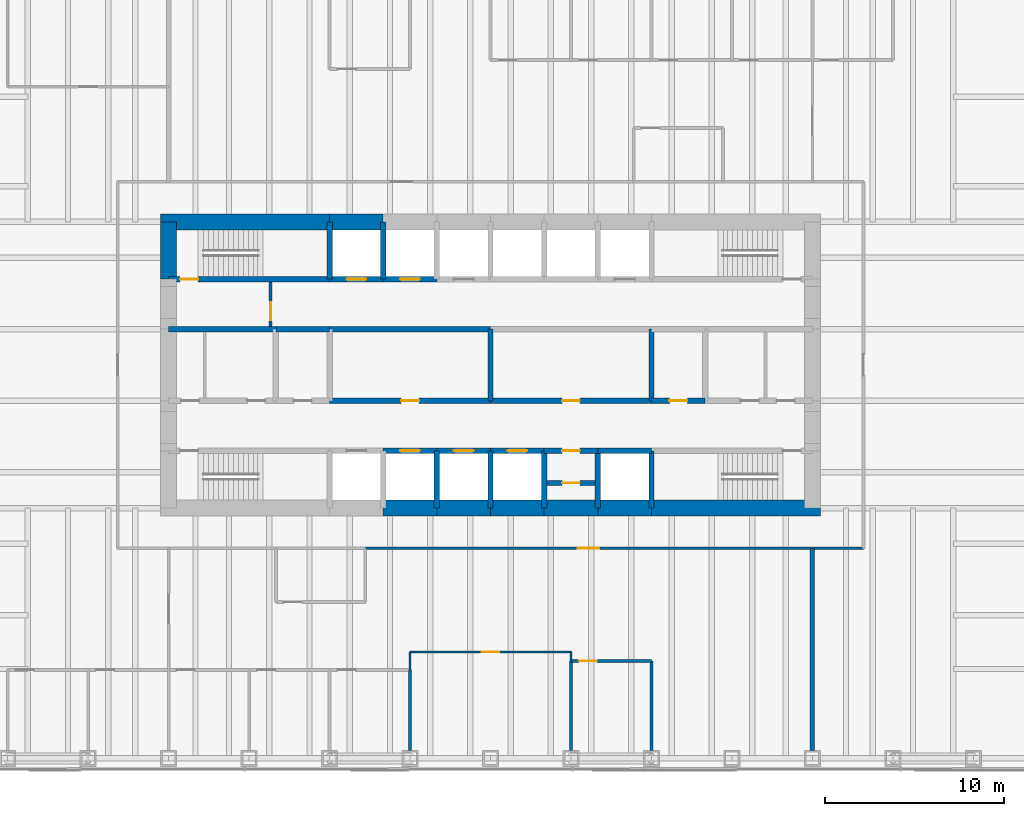
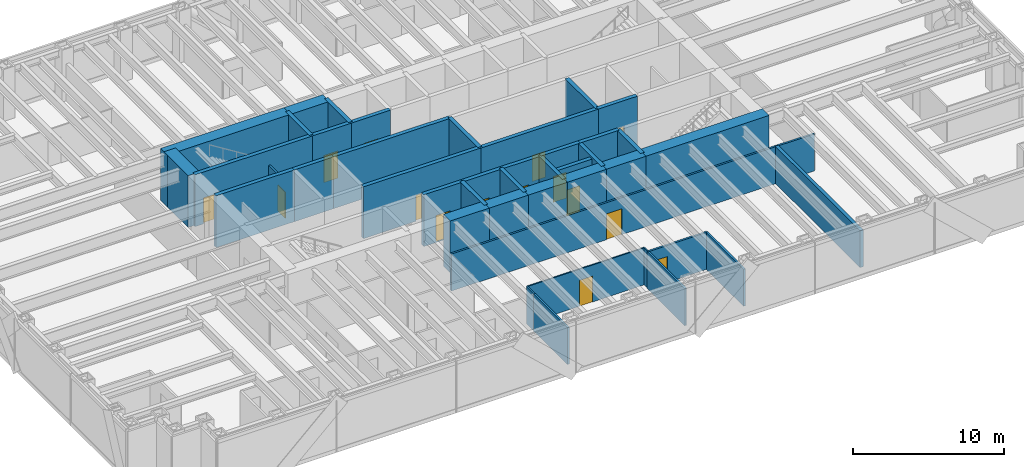
# One storey, part 14 of 17: 43 walls, 15 doors, 15 openings.
"""IFC4 building model written with IfcOpenShell, lengths in metres."""

from ifc_helpers import new_model, si_unit, direction, frame, frame_2d, origin, place, context, subcontext, project, spatial, rectangle, extrude, material, layer, layer_set, type_object, element, fill, save


model = new_model("IFC4")

# Units and contexts
model_context = context("Model", 3, precision=1e-05, world=origin(), true_north=direction((0.0, 1.0)))
body_context = subcontext(model_context, "Body", "Model", "MODEL_VIEW")
ifc_project = project(units=[si_unit("LENGTHUNIT", "METRE"), si_unit("AREAUNIT", "SQUARE_METRE"), si_unit("VOLUMEUNIT", "CUBIC_METRE"), si_unit("PLANEANGLEUNIT", "RADIAN"), si_unit("MASSUNIT", "GRAM", prefix="KILO")], contexts=[model_context])

# Site, building, storey
site_placement = place(None, origin())
site = spatial("IfcSite", under=ifc_project, at=site_placement, CompositionType="ELEMENT")
building_placement = place(site_placement, origin())
building = spatial("IfcBuilding", under=site, at=building_placement, Name="Rheinbord Bourse Tower", CompositionType="ELEMENT")
storey_placement = place(building_placement, frame((0.0, 0.0, 159.300048828125)))
storey = spatial("IfcBuildingStorey", under=building, at=storey_placement, Name="L35", CompositionType="ELEMENT", Elevation=159.300048828125)

# Wall, opening, door
ifc_material_1 = material(Name="Concrete C50/60", Category="concrete")
ifc_layer_1 = layer(ifc_material_1, 0.300048828125)
ifc_layer_set_1 = layer_set([ifc_layer_1], Name="CORE INNER WALL 300")
wall_type_1 = type_object("IfcWallType", Name="CORE INNER WALL 300", PredefinedType="SOLIDWALL", material=ifc_layer_set_1)
wall_1_placement = place(storey_placement, frame((30.0, 19.199951171875, 0.0), z_axis=(0.0, 0.0, 1.0), x_axis=(1.0, 0.0, 0.0)))
wall_1 = element("IfcWall", 1, at=wall_1_placement, inside=storey, type_object=wall_type_1, Name="Core wall A3 L35", PredefinedType="SOLIDWALL", context=body_context, shape_type="SweptSolid", body=[
    extrude(rectangle(XDim=3.0, YDim=0.300048828125, at=frame_2d((1.5, 0.0))), origin(), (0.0, 0.0, 1.0), 4.199951171875),
])
opening_1_placement = place(wall_1_placement, frame((0.949951171875, 0.0, 0.0)))
opening_1 = element("IfcOpeningElement", 2, at=opening_1_placement, cuts=wall_1, Name="Opening PB1", PredefinedType="OPENING", context=body_context, shape_type="SweptSolid", body=[
    extrude(rectangle(XDim=1.10009765625, YDim=2.199951171875, at=frame_2d((0.550048828125, 1.10009765625))), frame((0.0, 0.159912109375, 0.0), z_axis=(0.0, -1.0, 0.0), x_axis=(1.0, 0.0, 0.0)), (0.0, 0.0, 1.0), 0.320068359375),
])
ifc_material_2 = material(Name="Steel landing door", Category="steel")
door_type_1 = type_object("IfcDoorType", Name="LIFT LANDING DOOR 1100", OperationType="DOUBLE_DOOR_SLIDING", PredefinedType="USERDEFINED", material=ifc_material_2)
door_1_placement = place(opening_1_placement, origin())
door_1 = element("IfcDoor", 3, at=door_1_placement, inside=storey, type_object=door_type_1, Name="Lift landing door PB1 L35", ObjectType="LIFT LANDING DOOR", OperationType="DOUBLE_DOOR_SLIDING", OverallHeight=2.199951171875, OverallWidth=1.10009765625, PredefinedType="USERDEFINED", context=body_context, shape_type="SweptSolid", body=[
    extrude(rectangle(XDim=1.10009765625, YDim=2.199951171875, at=frame_2d((0.550048828125, 1.10009765625))), frame((0.0, 0.02490234375, 0.0), z_axis=(0.0, -1.0, 0.0), x_axis=(1.0, 0.0, 0.0)), (0.0, 0.0, 1.0), 0.050048828125),
])
fill(opening_1, door_1)

wall_2_placement = place(storey_placement, frame((33.0, 19.199951171875, 0.0), z_axis=(0.0, 0.0, 1.0), x_axis=(1.0, 0.0, 0.0)))
wall_2 = element("IfcWall", 4, at=wall_2_placement, inside=storey, type_object=wall_type_1, Name="Core wall A4 L35", PredefinedType="SOLIDWALL", context=body_context, shape_type="SweptSolid", body=[
    extrude(rectangle(XDim=3.0, YDim=0.300048828125, at=frame_2d((1.5, 0.0))), origin(), (0.0, 0.0, 1.0), 4.199951171875),
])
opening_2_placement = place(wall_2_placement, frame((0.949951171875, 0.0, 0.0)))
opening_2 = element("IfcOpeningElement", 5, at=opening_2_placement, cuts=wall_2, Name="Opening PB2", PredefinedType="OPENING", context=body_context, shape_type="SweptSolid", body=[
    extrude(rectangle(XDim=1.10009765625, YDim=2.199951171875, at=frame_2d((0.550048828125, 1.10009765625))), frame((0.0, 0.159912109375, 0.0), z_axis=(0.0, -1.0, 0.0), x_axis=(1.0, 0.0, 0.0)), (0.0, 0.0, 1.0), 0.320068359375),
])
door_2_placement = place(opening_2_placement, origin())
door_2 = element("IfcDoor", 6, at=door_2_placement, inside=storey, type_object=door_type_1, Name="Lift landing door PB2 L35", ObjectType="LIFT LANDING DOOR", OperationType="DOUBLE_DOOR_SLIDING", OverallHeight=2.199951171875, OverallWidth=1.10009765625, PredefinedType="USERDEFINED", context=body_context, shape_type="SweptSolid", body=[
    extrude(rectangle(XDim=1.10009765625, YDim=2.199951171875, at=frame_2d((0.550048828125, 1.10009765625))), frame((0.0, 0.02490234375, 0.0), z_axis=(0.0, -1.0, 0.0), x_axis=(1.0, 0.0, 0.0)), (0.0, 0.0, 1.0), 0.050048828125),
])
fill(opening_2, door_2)

wall_3_placement = place(storey_placement, frame((36.0, 19.199951171875, 0.0), z_axis=(0.0, 0.0, 1.0), x_axis=(1.0, 0.0, 0.0)))
wall_3 = element("IfcWall", 7, at=wall_3_placement, inside=storey, type_object=wall_type_1, Name="Core wall A5 L35", PredefinedType="SOLIDWALL", context=body_context, shape_type="SweptSolid", body=[
    extrude(rectangle(XDim=3.0, YDim=0.300048828125, at=frame_2d((1.5, 0.0))), origin(), (0.0, 0.0, 1.0), 4.199951171875),
])
opening_3_placement = place(wall_3_placement, frame((0.949951171875, 0.0, 0.0)))
opening_3 = element("IfcOpeningElement", 8, at=opening_3_placement, cuts=wall_3, Name="Opening PB3", PredefinedType="OPENING", context=body_context, shape_type="SweptSolid", body=[
    extrude(rectangle(XDim=1.10009765625, YDim=2.199951171875, at=frame_2d((0.550048828125, 1.10009765625))), frame((0.0, 0.159912109375, 0.0), z_axis=(0.0, -1.0, 0.0), x_axis=(1.0, 0.0, 0.0)), (0.0, 0.0, 1.0), 0.320068359375),
])
door_3_placement = place(opening_3_placement, origin())
door_3 = element("IfcDoor", 9, at=door_3_placement, inside=storey, type_object=door_type_1, Name="Lift landing door PB3 L35", ObjectType="LIFT LANDING DOOR", OperationType="DOUBLE_DOOR_SLIDING", OverallHeight=2.199951171875, OverallWidth=1.10009765625, PredefinedType="USERDEFINED", context=body_context, shape_type="SweptSolid", body=[
    extrude(rectangle(XDim=1.10009765625, YDim=2.199951171875, at=frame_2d((0.550048828125, 1.10009765625))), frame((0.0, 0.02490234375, 0.0), z_axis=(0.0, -1.0, 0.0), x_axis=(1.0, 0.0, 0.0)), (0.0, 0.0, 1.0), 0.050048828125),
])
fill(opening_3, door_3)

wall_4_placement = place(storey_placement, frame((39.0, 19.199951171875, 0.0), z_axis=(0.0, 0.0, 1.0), x_axis=(1.0, 0.0, 0.0)))
wall_4 = element("IfcWall", 10, at=wall_4_placement, inside=storey, type_object=wall_type_1, Name="Core wall A6 L35", PredefinedType="SOLIDWALL", context=body_context, shape_type="SweptSolid", body=[
    extrude(rectangle(XDim=3.0, YDim=0.300048828125, at=frame_2d((1.5, 0.0))), origin(), (0.0, 0.0, 1.0), 4.199951171875),
])
opening_4_placement = place(wall_4_placement, frame((1.0, 0.0, 0.0)))
opening_4 = element("IfcOpeningElement", 11, at=opening_4_placement, cuts=wall_4, Name="Opening 35R8", PredefinedType="OPENING", context=body_context, shape_type="SweptSolid", body=[
    extrude(rectangle(XDim=1.0, YDim=2.10009765625, at=frame_2d((0.5, 1.050048828125))), frame((0.0, 0.159912109375, 0.0), z_axis=(0.0, -1.0, 0.0), x_axis=(1.0, 0.0, 0.0)), (0.0, 0.0, 1.0), 0.320068359375),
])
ifc_material_3 = material(Name="Steel door", Category="steel")
door_type_2 = type_object("IfcDoorType", Name="DOOR 1000 EI30", OperationType="SINGLE_SWING_LEFT", PredefinedType="DOOR", material=ifc_material_3)
door_4_placement = place(opening_4_placement, origin())
door_4 = element("IfcDoor", 12, at=door_4_placement, inside=storey, type_object=door_type_2, Name="Archive store door L35", OperationType="SINGLE_SWING_LEFT", OverallHeight=2.10009765625, OverallWidth=1.0, PredefinedType="DOOR", context=body_context, shape_type="SweptSolid", body=[
    extrude(rectangle(XDim=1.0, YDim=2.10009765625, at=frame_2d((0.5, 1.050048828125))), frame((0.0, 0.02490234375, 0.0), z_axis=(0.0, -1.0, 0.0), x_axis=(1.0, 0.0, 0.0)), (0.0, 0.0, 1.0), 0.050048828125),
])
fill(opening_4, door_4)

# Wall
wall_5_placement = place(storey_placement, frame((42.0, 19.199951171875, 0.0), z_axis=(0.0, 0.0, 1.0), x_axis=(1.0, 0.0, 0.0)))
element("IfcWall", 13, at=wall_5_placement, inside=storey, type_object=wall_type_1, Name="Core wall A7 L35", PredefinedType="SOLIDWALL", context=body_context, shape_type="SweptSolid", body=[
    extrude(rectangle(XDim=3.0, YDim=0.300048828125, at=frame_2d((1.5, 0.0))), origin(), (0.0, 0.0, 1.0), 4.199951171875),
])

# Wall, opening, door
wall_6_placement = place(storey_placement, frame((18.0, 28.800048828125, 0.0), z_axis=(0.0, 0.0, 1.0), x_axis=(1.0, 0.0, 0.0)))
wall_6 = element("IfcWall", 14, at=wall_6_placement, inside=storey, type_object=wall_type_1, Name="Core wall B1 L35", PredefinedType="SOLIDWALL", context=body_context, shape_type="SweptSolid", body=[
    extrude(rectangle(XDim=9.0, YDim=0.300048828125, at=frame_2d((4.5, 0.0))), origin(), (0.0, 0.0, 1.0), 4.199951171875),
])
opening_5_placement = place(wall_6_placement, frame((0.64990234375, 0.0, 0.0)))
opening_5 = element("IfcOpeningElement", 15, at=opening_5_placement, cuts=wall_6, Name="Opening 3520", PredefinedType="OPENING", context=body_context, shape_type="SweptSolid", body=[
    extrude(rectangle(XDim=1.0, YDim=2.10009765625, at=frame_2d((0.5, 1.050048828125))), frame((0.0, 0.159912109375, 0.0), z_axis=(0.0, -1.0, 0.0), x_axis=(1.0, 0.0, 0.0)), (0.0, 0.0, 1.0), 0.320068359375),
])
door_5_placement = place(opening_5_placement, origin())
door_5 = element("IfcDoor", 16, at=door_5_placement, inside=storey, type_object=door_type_2, Name="Stair door ST2 L35", OperationType="SINGLE_SWING_LEFT", OverallHeight=2.10009765625, OverallWidth=1.0, PredefinedType="DOOR", context=body_context, shape_type="SweptSolid", body=[
    extrude(rectangle(XDim=1.0, YDim=2.10009765625, at=frame_2d((0.5, 1.050048828125))), frame((0.0, 0.02490234375, 0.0), z_axis=(0.0, -1.0, 0.0), x_axis=(1.0, 0.0, 0.0)), (0.0, 0.0, 1.0), 0.050048828125),
])
fill(opening_5, door_5)

wall_7_placement = place(storey_placement, frame((27.0, 28.800048828125, 0.0), z_axis=(0.0, 0.0, 1.0), x_axis=(1.0, 0.0, 0.0)))
wall_7 = element("IfcWall", 17, at=wall_7_placement, inside=storey, type_object=wall_type_1, Name="Core wall B2 L35", PredefinedType="SOLIDWALL", context=body_context, shape_type="SweptSolid", body=[
    extrude(rectangle(XDim=3.0, YDim=0.300048828125, at=frame_2d((1.5, 0.0))), origin(), (0.0, 0.0, 1.0), 4.199951171875),
])
opening_6_placement = place(wall_7_placement, frame((0.949951171875, 0.0, 0.0)))
opening_6 = element("IfcOpeningElement", 18, at=opening_6_placement, cuts=wall_7, Name="Opening GL1", PredefinedType="OPENING", context=body_context, shape_type="SweptSolid", body=[
    extrude(rectangle(XDim=1.10009765625, YDim=2.199951171875, at=frame_2d((0.550048828125, 1.10009765625))), frame((0.0, 0.159912109375, 0.0), z_axis=(0.0, -1.0, 0.0), x_axis=(1.0, 0.0, 0.0)), (0.0, 0.0, 1.0), 0.320068359375),
])
door_6_placement = place(opening_6_placement, origin())
door_6 = element("IfcDoor", 19, at=door_6_placement, inside=storey, type_object=door_type_1, Name="Lift landing door GL1 L35", ObjectType="LIFT LANDING DOOR", OperationType="DOUBLE_DOOR_SLIDING", OverallHeight=2.199951171875, OverallWidth=1.10009765625, PredefinedType="USERDEFINED", context=body_context, shape_type="SweptSolid", body=[
    extrude(rectangle(XDim=1.10009765625, YDim=2.199951171875, at=frame_2d((0.550048828125, 1.10009765625))), frame((0.0, 0.02490234375, 0.0), z_axis=(0.0, -1.0, 0.0), x_axis=(1.0, 0.0, 0.0)), (0.0, 0.0, 1.0), 0.050048828125),
])
fill(opening_6, door_6)

wall_8_placement = place(storey_placement, frame((30.0, 28.800048828125, 0.0), z_axis=(0.0, 0.0, 1.0), x_axis=(1.0, 0.0, 0.0)))
wall_8 = element("IfcWall", 20, at=wall_8_placement, inside=storey, type_object=wall_type_1, Name="Core wall B3 L35", PredefinedType="SOLIDWALL", context=body_context, shape_type="SweptSolid", body=[
    extrude(rectangle(XDim=3.0, YDim=0.300048828125, at=frame_2d((1.5, 0.0))), origin(), (0.0, 0.0, 1.0), 4.199951171875),
])
opening_7_placement = place(wall_8_placement, frame((0.949951171875, 0.0, 0.0)))
opening_7 = element("IfcOpeningElement", 21, at=opening_7_placement, cuts=wall_8, Name="Opening PB4", PredefinedType="OPENING", context=body_context, shape_type="SweptSolid", body=[
    extrude(rectangle(XDim=1.10009765625, YDim=2.199951171875, at=frame_2d((0.550048828125, 1.10009765625))), frame((0.0, 0.159912109375, 0.0), z_axis=(0.0, -1.0, 0.0), x_axis=(1.0, 0.0, 0.0)), (0.0, 0.0, 1.0), 0.320068359375),
])
door_7_placement = place(opening_7_placement, origin())
door_7 = element("IfcDoor", 22, at=door_7_placement, inside=storey, type_object=door_type_1, Name="Lift landing door PB4 L35", ObjectType="LIFT LANDING DOOR", OperationType="DOUBLE_DOOR_SLIDING", OverallHeight=2.199951171875, OverallWidth=1.10009765625, PredefinedType="USERDEFINED", context=body_context, shape_type="SweptSolid", body=[
    extrude(rectangle(XDim=1.10009765625, YDim=2.199951171875, at=frame_2d((0.550048828125, 1.10009765625))), frame((0.0, 0.02490234375, 0.0), z_axis=(0.0, -1.0, 0.0), x_axis=(1.0, 0.0, 0.0)), (0.0, 0.0, 1.0), 0.050048828125),
])
fill(opening_7, door_7)

wall_9_placement = place(storey_placement, frame((27.0, 22.0, 0.0), z_axis=(0.0, 0.0, 1.0), x_axis=(1.0, 0.0, 0.0)))
wall_9 = element("IfcWall", 23, at=wall_9_placement, inside=storey, type_object=wall_type_1, Name="Core wall C3 L35", PredefinedType="SOLIDWALL", context=body_context, shape_type="SweptSolid", body=[
    extrude(rectangle(XDim=9.0, YDim=0.300048828125, at=frame_2d((4.5, 0.0))), origin(), (0.0, 0.0, 1.0), 4.199951171875),
])
opening_8_placement = place(wall_9_placement, frame((4.0, 0.0, 0.0)))
opening_8 = element("IfcOpeningElement", 24, at=opening_8_placement, cuts=wall_9, Name="Opening 35R3", PredefinedType="OPENING", context=body_context, shape_type="SweptSolid", body=[
    extrude(rectangle(XDim=1.0, YDim=2.10009765625, at=frame_2d((0.5, 1.050048828125))), frame((0.0, 0.159912109375, 0.0), z_axis=(0.0, -1.0, 0.0), x_axis=(1.0, 0.0, 0.0)), (0.0, 0.0, 1.0), 0.320068359375),
])
door_8_placement = place(opening_8_placement, origin())
door_8 = element("IfcDoor", 25, at=door_8_placement, inside=storey, type_object=door_type_2, Name="Riser door L35", OperationType="SINGLE_SWING_LEFT", OverallHeight=2.10009765625, OverallWidth=1.0, PredefinedType="DOOR", context=body_context, shape_type="SweptSolid", body=[
    extrude(rectangle(XDim=1.0, YDim=2.10009765625, at=frame_2d((0.5, 1.050048828125))), frame((0.0, 0.02490234375, 0.0), z_axis=(0.0, -1.0, 0.0), x_axis=(1.0, 0.0, 0.0)), (0.0, 0.0, 1.0), 0.050048828125),
])
fill(opening_8, door_8)

wall_10_placement = place(storey_placement, frame((36.0, 22.0, 0.0), z_axis=(0.0, 0.0, 1.0), x_axis=(1.0, 0.0, 0.0)))
wall_10 = element("IfcWall", 26, at=wall_10_placement, inside=storey, type_object=wall_type_1, Name="Core wall C4 L35", PredefinedType="SOLIDWALL", context=body_context, shape_type="SweptSolid", body=[
    extrude(rectangle(XDim=9.0, YDim=0.300048828125, at=frame_2d((4.5, 0.0))), origin(), (0.0, 0.0, 1.0), 4.199951171875),
])
opening_9_placement = place(wall_10_placement, frame((4.0, 0.0, 0.0)))
opening_9 = element("IfcOpeningElement", 27, at=opening_9_placement, cuts=wall_10, Name="Opening 35R4", PredefinedType="OPENING", context=body_context, shape_type="SweptSolid", body=[
    extrude(rectangle(XDim=1.0, YDim=2.10009765625, at=frame_2d((0.5, 1.050048828125))), frame((0.0, 0.159912109375, 0.0), z_axis=(0.0, -1.0, 0.0), x_axis=(1.0, 0.0, 0.0)), (0.0, 0.0, 1.0), 0.320068359375),
])
door_9_placement = place(opening_9_placement, origin())
door_9 = element("IfcDoor", 28, at=door_9_placement, inside=storey, type_object=door_type_2, Name="Store door L35", OperationType="SINGLE_SWING_LEFT", OverallHeight=2.10009765625, OverallWidth=1.0, PredefinedType="DOOR", context=body_context, shape_type="SweptSolid", body=[
    extrude(rectangle(XDim=1.0, YDim=2.10009765625, at=frame_2d((0.5, 1.050048828125))), frame((0.0, 0.02490234375, 0.0), z_axis=(0.0, -1.0, 0.0), x_axis=(1.0, 0.0, 0.0)), (0.0, 0.0, 1.0), 0.050048828125),
])
fill(opening_9, door_9)

wall_11_placement = place(storey_placement, frame((45.0, 22.0, 0.0), z_axis=(0.0, 0.0, 1.0), x_axis=(1.0, 0.0, 0.0)))
wall_11 = element("IfcWall", 29, at=wall_11_placement, inside=storey, type_object=wall_type_1, Name="Core wall C5 L35", PredefinedType="SOLIDWALL", context=body_context, shape_type="SweptSolid", body=[
    extrude(rectangle(XDim=3.0, YDim=0.300048828125, at=frame_2d((1.5, 0.0))), origin(), (0.0, 0.0, 1.0), 4.199951171875),
])
opening_10_placement = place(wall_11_placement, frame((1.0, 0.0, 0.0)))
opening_10 = element("IfcOpeningElement", 30, at=opening_10_placement, cuts=wall_11, Name="Opening 35R5", PredefinedType="OPENING", context=body_context, shape_type="SweptSolid", body=[
    extrude(rectangle(XDim=1.0, YDim=2.10009765625, at=frame_2d((0.5, 1.050048828125))), frame((0.0, 0.159912109375, 0.0), z_axis=(0.0, -1.0, 0.0), x_axis=(1.0, 0.0, 0.0)), (0.0, 0.0, 1.0), 0.320068359375),
])
ifc_material_4 = material(Name="Timber door", Category="wood")
door_type_3 = type_object("IfcDoorType", Name="DOOR 1000 WC", OperationType="SINGLE_SWING_LEFT", PredefinedType="DOOR", material=ifc_material_4)
door_10_placement = place(opening_10_placement, origin())
door_10 = element("IfcDoor", 31, at=door_10_placement, inside=storey, type_object=door_type_3, Name="Accessible WC door L35", OperationType="SINGLE_SWING_LEFT", OverallHeight=2.10009765625, OverallWidth=1.0, PredefinedType="DOOR", context=body_context, shape_type="SweptSolid", body=[
    extrude(rectangle(XDim=1.0, YDim=2.10009765625, at=frame_2d((0.5, 1.050048828125))), frame((0.0, 0.02490234375, 0.0), z_axis=(0.0, -1.0, 0.0), x_axis=(1.0, 0.0, 0.0)), (0.0, 0.0, 1.0), 0.050048828125),
])
fill(opening_10, door_10)

# Walls
wall_12_placement = place(storey_placement, frame((18.0, 26.0, 0.0), z_axis=(0.0, 0.0, 1.0), x_axis=(1.0, 0.0, 0.0)))
element("IfcWall", 32, at=wall_12_placement, inside=storey, type_object=wall_type_1, Name="Core wall D1 L35", PredefinedType="SOLIDWALL", context=body_context, shape_type="SweptSolid", body=[
    extrude(rectangle(XDim=6.0, YDim=0.300048828125, at=frame_2d((3.0, 0.0))), origin(), (0.0, 0.0, 1.0), 4.199951171875),
])
wall_13_placement = place(storey_placement, frame((24.0, 26.0, 0.0), z_axis=(0.0, 0.0, 1.0), x_axis=(1.0, 0.0, 0.0)))
element("IfcWall", 33, at=wall_13_placement, inside=storey, type_object=wall_type_1, Name="Core wall D2 L35", PredefinedType="SOLIDWALL", context=body_context, shape_type="SweptSolid", body=[
    extrude(rectangle(XDim=3.0, YDim=0.300048828125, at=frame_2d((1.5, 0.0))), origin(), (0.0, 0.0, 1.0), 4.199951171875),
])
wall_14_placement = place(storey_placement, frame((27.0, 26.0, 0.0), z_axis=(0.0, 0.0, 1.0), x_axis=(1.0, 0.0, 0.0)))
element("IfcWall", 34, at=wall_14_placement, inside=storey, type_object=wall_type_1, Name="Core wall D3 L35", PredefinedType="SOLIDWALL", context=body_context, shape_type="SweptSolid", body=[
    extrude(rectangle(XDim=9.0, YDim=0.300048828125, at=frame_2d((4.5, 0.0))), origin(), (0.0, 0.0, 1.0), 4.199951171875),
])
for number, where, z_axis, x_axis, name in (
    (35, (27.0, 28.800048828125, 0.0), (0.0, 0.0, 1.0), (0.0, 1.0, 0.0), "Core wall NX27 L35"),
    (36, (30.0, 28.800048828125, 0.0), (0.0, 0.0, 1.0), (0.0, 1.0, 0.0), "Core wall NX30 L35"),
    (37, (33.0, 16.0, 0.0), (0.0, 0.0, 1.0), (0.0, 1.0, 0.0), "Core wall SX33 L35"),
    (38, (36.0, 16.0, 0.0), (0.0, 0.0, 1.0), (0.0, 1.0, 0.0), "Core wall SX36 L35"),
    (39, (39.0, 16.0, 0.0), (0.0, 0.0, 1.0), (0.0, 1.0, 0.0), "Core wall SX39 L35"),
    (40, (42.0, 16.0, 0.0), (0.0, 0.0, 1.0), (0.0, 1.0, 0.0), "Core wall SX42 L35"),
    (41, (45.0, 16.0, 0.0), (0.0, 0.0, 1.0), (0.0, 1.0, 0.0), "Core wall SX45 L35"),
):
    element("IfcWall", number, at=place(storey_placement, frame(where, z_axis=z_axis, x_axis=x_axis)), inside=storey, type_object=wall_type_1, Name=name, PredefinedType="SOLIDWALL", context=body_context, shape_type="SweptSolid", body=[
        extrude(rectangle(XDim=3.199951171875, YDim=0.300048828125, at=frame_2d((1.60009765625, 0.0))), origin(), (0.0, 0.0, 1.0), 4.199951171875),
    ])
for number, where, z_axis, x_axis, name in (
    (42, (36.0, 22.0, 0.0), (0.0, 0.0, 1.0), (0.0, 1.0, 0.0), "Core wall MX36 L35"),
    (43, (45.0, 22.0, 0.0), (0.0, 0.0, 1.0), (0.0, 1.0, 0.0), "Core wall MX45 L35"),
):
    element("IfcWall", number, at=place(storey_placement, frame(where, z_axis=z_axis, x_axis=x_axis)), inside=storey, type_object=wall_type_1, Name=name, PredefinedType="SOLIDWALL", context=body_context, shape_type="SweptSolid", body=[
        extrude(rectangle(XDim=4.0, YDim=0.300048828125, at=frame_2d((2.0, 0.0))), origin(), (0.0, 0.0, 1.0), 4.199951171875),
    ])

# Wall, opening, door
wall_15_placement = place(storey_placement, frame((39.14990234375, 17.39990234375, 0.0), z_axis=(0.0, 0.0, 1.0), x_axis=(1.0, 0.0, 0.0)))
wall_15 = element("IfcWall", 44, at=wall_15_placement, inside=storey, type_object=wall_type_1, Name="Core riser wall L35-6", PredefinedType="SOLIDWALL", context=body_context, shape_type="SweptSolid", body=[
    extrude(rectangle(XDim=2.7001953125, YDim=0.300048828125, at=frame_2d((1.35009765625, 0.0))), origin(), (0.0, 0.0, 1.0), 4.0400390625),
])
opening_11_placement = place(wall_15_placement, frame((0.85009765625, 0.0, 0.0)))
opening_11 = element("IfcOpeningElement", 45, at=opening_11_placement, cuts=wall_15, Name="Opening 35R12", PredefinedType="OPENING", context=body_context, shape_type="SweptSolid", body=[
    extrude(rectangle(XDim=1.0, YDim=2.10009765625, at=frame_2d((0.5, 1.050048828125))), frame((0.0, 0.159912109375, 0.0), z_axis=(0.0, -1.0, 0.0), x_axis=(1.0, 0.0, 0.0)), (0.0, 0.0, 1.0), 0.320068359375),
])
door_11_placement = place(opening_11_placement, origin())
door_11 = element("IfcDoor", 46, at=door_11_placement, inside=storey, type_object=door_type_2, Name="Comms riser door L35", OperationType="SINGLE_SWING_LEFT", OverallHeight=2.10009765625, OverallWidth=1.0, PredefinedType="DOOR", context=body_context, shape_type="SweptSolid", body=[
    extrude(rectangle(XDim=1.0, YDim=2.10009765625, at=frame_2d((0.5, 1.050048828125))), frame((0.0, 0.02490234375, 0.0), z_axis=(0.0, -1.0, 0.0), x_axis=(1.0, 0.0, 0.0)), (0.0, 0.0, 1.0), 0.050048828125),
])
fill(opening_11, door_11)

ifc_material_5 = material(Name="Gypsum board fire partition", Category="gypsum board")
ifc_layer_2 = layer(ifc_material_5, 0.14990234375)
ifc_layer_set_2 = layer_set([ifc_layer_2], Name="CORE PARTITION 150 EI30")
wall_type_2 = type_object("IfcWallType", Name="CORE PARTITION 150 EI30", PredefinedType="PARTITIONING", material=ifc_layer_set_2)
wall_16_placement = place(storey_placement, frame((23.699951171875, 26.14990234375, 0.0), z_axis=(0.0, 0.0, 1.0), x_axis=(0.0, 1.0, 0.0)))
wall_16 = element("IfcWall", 47, at=wall_16_placement, inside=storey, type_object=wall_type_2, Name="Core partition L35-5", PredefinedType="PARTITIONING", context=body_context, shape_type="SweptSolid", body=[
    extrude(rectangle(XDim=2.5, YDim=0.14990234375, at=frame_2d((1.25, 0.0))), origin(), (0.0, 0.0, 1.0), 3.0),
])
opening_12_placement = place(wall_16_placement, frame((0.35009765625, 0.0, 0.0)))
opening_12 = element("IfcOpeningElement", 48, at=opening_12_placement, cuts=wall_16, Name="Opening 35L6", PredefinedType="OPENING", context=body_context, shape_type="SweptSolid", body=[
    extrude(rectangle(XDim=1.0, YDim=2.10009765625, at=frame_2d((0.5, 1.050048828125))), frame((0.0, 0.0849609375, 0.0), z_axis=(0.0, -1.0, 0.0), x_axis=(1.0, 0.0, 0.0)), (0.0, 0.0, 1.0), 0.169921875),
])
door_12_placement = place(opening_12_placement, origin())
door_12 = element("IfcDoor", 49, at=door_12_placement, inside=storey, type_object=door_type_2, Name="Stair lobby door L35", OperationType="SINGLE_SWING_LEFT", OverallHeight=2.10009765625, OverallWidth=1.0, PredefinedType="DOOR", context=body_context, shape_type="SweptSolid", body=[
    extrude(rectangle(XDim=1.0, YDim=2.10009765625, at=frame_2d((0.5, 1.050048828125))), frame((0.0, 0.02490234375, 0.0), z_axis=(0.0, -1.0, 0.0), x_axis=(1.0, 0.0, 0.0)), (0.0, 0.0, 1.0), 0.050048828125),
])
fill(opening_12, door_12)

# Walls
ifc_material_6 = material(Name="Concrete C50/60", Category="concrete")
ifc_layer_3 = layer(ifc_material_6, 0.89990234375)
ifc_layer_set_3 = layer_set([ifc_layer_3], Name="CORE WALL 900")
wall_type_3 = type_object("IfcWallType", Name="CORE WALL 900", PredefinedType="SHEAR", material=ifc_layer_set_3)
for number, where, z_axis, x_axis, name in (
    (50, (30.0, 16.0, 0.0), (0.0, 0.0, 1.0), (1.0, 0.0, 0.0), "Core wall S3 L35"),
    (51, (33.0, 16.0, 0.0), (0.0, 0.0, 1.0), (1.0, 0.0, 0.0), "Core wall S4 L35"),
    (52, (36.0, 16.0, 0.0), (0.0, 0.0, 1.0), (1.0, 0.0, 0.0), "Core wall S5 L35"),
    (53, (39.0, 16.0, 0.0), (0.0, 0.0, 1.0), (1.0, 0.0, 0.0), "Core wall S6 L35"),
    (54, (42.0, 16.0, 0.0), (0.0, 0.0, 1.0), (1.0, 0.0, 0.0), "Core wall S7 L35"),
):
    element("IfcWall", number, at=place(storey_placement, frame(where, z_axis=z_axis, x_axis=x_axis)), inside=storey, type_object=wall_type_3, Name=name, PredefinedType="SHEAR", context=body_context, shape_type="SweptSolid", body=[
        extrude(rectangle(XDim=3.0, YDim=0.89990234375, at=frame_2d((1.5, 0.0))), origin(), (0.0, 0.0, 1.0), 4.199951171875),
    ])
wall_17_placement = place(storey_placement, frame((45.0, 16.0, 0.0), z_axis=(0.0, 0.0, 1.0), x_axis=(1.0, 0.0, 0.0)))
element("IfcWall", 55, at=wall_17_placement, inside=storey, type_object=wall_type_3, Name="Core wall S8 L35", PredefinedType="SHEAR", context=body_context, shape_type="SweptSolid", body=[
    extrude(rectangle(XDim=9.449951171875, YDim=0.89990234375, at=frame_2d((4.72509765625, 0.0))), origin(), (0.0, 0.0, 1.0), 4.199951171875),
])
wall_18_placement = place(storey_placement, frame((30.0, 32.0, 0.0), z_axis=(0.0, 0.0, 1.0), x_axis=(-1.0, 0.0, 0.0)))
element("IfcWall", 56, at=wall_18_placement, inside=storey, type_object=wall_type_3, Name="Core wall N7 L35", PredefinedType="SHEAR", context=body_context, shape_type="SweptSolid", body=[
    extrude(rectangle(XDim=3.0, YDim=0.89990234375, at=frame_2d((1.5, 0.0))), origin(), (0.0, 0.0, 1.0), 4.199951171875),
])
wall_19_placement = place(storey_placement, frame((27.0, 32.0, 0.0), z_axis=(0.0, 0.0, 1.0), x_axis=(-1.0, 0.0, 0.0)))
element("IfcWall", 57, at=wall_19_placement, inside=storey, type_object=wall_type_3, Name="Core wall N8 L35", PredefinedType="SHEAR", context=body_context, shape_type="SweptSolid", body=[
    extrude(rectangle(XDim=9.449951171875, YDim=0.89990234375, at=frame_2d((4.72509765625, 0.0))), origin(), (0.0, 0.0, 1.0), 4.199951171875),
])
wall_20_placement = place(storey_placement, frame((18.0, 32.0, 0.0), z_axis=(0.0, 0.0, 1.0), x_axis=(0.0, -1.0, 0.0)))
element("IfcWall", 58, at=wall_20_placement, inside=storey, type_object=wall_type_3, Name="Core wall W1 L35", PredefinedType="SHEAR", context=body_context, shape_type="SweptSolid", body=[
    extrude(rectangle(XDim=3.199951171875, YDim=0.89990234375, at=frame_2d((1.60009765625, 0.0))), origin(), (0.0, 0.0, 1.0), 4.199951171875),
])

# Wall, opening, door
ifc_material_7 = material(Name="Gypsum board corridor partition", Category="gypsum board")
ifc_layer_4 = layer(ifc_material_7, 0.14990234375)
ifc_layer_set_4 = layer_set([ifc_layer_4], Name="CORRIDOR PARTITION 150 EI30")
wall_type_4 = type_object("IfcWallType", Name="CORRIDOR PARTITION 150 EI30", PredefinedType="PARTITIONING", material=ifc_layer_set_4)
wall_21_placement = place(storey_placement, frame((29.0, 13.75, 0.0), z_axis=(0.0, 0.0, 1.0), x_axis=(1.0, 0.0, 0.0)))
wall_21 = element("IfcWall", 59, at=wall_21_placement, inside=storey, type_object=wall_type_4, Name="Partition L35-10", PredefinedType="PARTITIONING", context=body_context, shape_type="SweptSolid", body=[
    extrude(rectangle(XDim=27.85009765625, YDim=0.14990234375, at=frame_2d((13.925048828125, 0.0))), origin(), (0.0, 0.0, 1.0), 3.0),
])
opening_13_placement = place(wall_21_placement, frame((11.886962890625, 0.0, 0.0)))
opening_13 = element("IfcOpeningElement", 60, at=opening_13_placement, cuts=wall_21, Name="Opening 35D25", PredefinedType="OPENING", context=body_context, shape_type="SweptSolid", body=[
    extrude(rectangle(XDim=1.199951171875, YDim=2.10009765625, at=frame_2d((0.60009765625, 1.050048828125))), frame((0.0, 0.0849609375, 0.0), z_axis=(0.0, -1.0, 0.0), x_axis=(1.0, 0.0, 0.0)), (0.0, 0.0, 1.0), 0.169921875),
])
ifc_material_8 = material(Name="Timber fire door", Category="wood")
door_type_4 = type_object("IfcDoorType", Name="SUITE ENTRANCE DOOR 1200 EI30", OperationType="SINGLE_SWING_LEFT", PredefinedType="DOOR", material=ifc_material_8)
door_13_placement = place(opening_13_placement, origin())
door_13 = element("IfcDoor", 61, at=door_13_placement, inside=storey, type_object=door_type_4, Name="Suite entrance 3 door L35", OperationType="SINGLE_SWING_LEFT", OverallHeight=2.10009765625, OverallWidth=1.199951171875, PredefinedType="DOOR", context=body_context, shape_type="SweptSolid", body=[
    extrude(rectangle(XDim=1.199951171875, YDim=2.10009765625, at=frame_2d((0.60009765625, 1.050048828125))), frame((0.0, 0.02490234375, 0.0), z_axis=(0.0, -1.0, 0.0), x_axis=(1.0, 0.0, 0.0)), (0.0, 0.0, 1.0), 0.050048828125),
])
fill(opening_13, door_13)

# Wall
ifc_material_9 = material(Name="Gypsum board tenancy wall", Category="gypsum board")
ifc_layer_5 = layer(ifc_material_9, 0.25)
ifc_layer_set_5 = layer_set([ifc_layer_5], Name="DEMISING PARTITION 250 EI60")
wall_type_5 = type_object("IfcWallType", Name="DEMISING PARTITION 250 EI60", PredefinedType="PARTITIONING", material=ifc_layer_set_5)
wall_22_placement = place(storey_placement, frame((54.0, 2.449951171875, 0.0), z_axis=(0.0, 0.0, 1.0), x_axis=(0.0, 1.0, 0.0)))
element("IfcWall", 62, at=wall_22_placement, inside=storey, type_object=wall_type_5, Name="Partition L35-49", PredefinedType="PARTITIONING", context=body_context, shape_type="SweptSolid", body=[
    extrude(rectangle(XDim=11.300048828125, YDim=0.25, at=frame_2d((5.64990234375, 0.0))), origin(), (0.0, 0.0, 1.0), 3.0),
])

# Wall, opening, door
ifc_material_10 = material(Name="Toughened laminated glass partition", Category="glass")
ifc_layer_6 = layer(ifc_material_10, 0.10009765625)
ifc_layer_set_6 = layer_set([ifc_layer_6], Name="GLAZED PARTITION 100")
wall_type_6 = type_object("IfcWallType", Name="GLAZED PARTITION 100", PredefinedType="PARTITIONING", material=ifc_layer_set_6)
wall_23_placement = place(storey_placement, frame((31.5, 7.949951171875, 0.0), z_axis=(0.0, 0.0, 1.0), x_axis=(1.0, 0.0, 0.0)))
wall_23 = element("IfcWall", 63, at=wall_23_placement, inside=storey, type_object=wall_type_6, Name="Partition L35-03", PredefinedType="PARTITIONING", context=body_context, shape_type="SweptSolid", body=[
    extrude(rectangle(XDim=9.0, YDim=0.10009765625, at=frame_2d((4.5, 0.0))), origin(), (0.0, 0.0, 1.0), 3.0),
])
opening_14_placement = place(wall_23_placement, frame((4.0, 0.0, 0.0)))
opening_14 = element("IfcOpeningElement", 64, at=opening_14_placement, cuts=wall_23, Name="Opening 35D07", PredefinedType="OPENING", context=body_context, shape_type="SweptSolid", body=[
    extrude(rectangle(XDim=1.0, YDim=2.10009765625, at=frame_2d((0.5, 1.050048828125))), frame((0.0, 0.06005859375, 0.0), z_axis=(0.0, -1.0, 0.0), x_axis=(1.0, 0.0, 0.0)), (0.0, 0.0, 1.0), 0.1201171875),
])
ifc_material_11 = material(Name="Timber door", Category="wood")
door_type_5 = type_object("IfcDoorType", Name="ROOM DOOR 1000", OperationType="SINGLE_SWING_LEFT", PredefinedType="DOOR", material=ifc_material_11)
door_14_placement = place(opening_14_placement, origin())
door_14 = element("IfcDoor", 65, at=door_14_placement, inside=storey, type_object=door_type_5, Name="Meeting room door L35", OperationType="SINGLE_SWING_LEFT", OverallHeight=2.10009765625, OverallWidth=1.0, PredefinedType="DOOR", context=body_context, shape_type="SweptSolid", body=[
    extrude(rectangle(XDim=1.0, YDim=2.10009765625, at=frame_2d((0.5, 1.050048828125))), frame((0.0, 0.02490234375, 0.0), z_axis=(0.0, -1.0, 0.0), x_axis=(1.0, 0.0, 0.0)), (0.0, 0.0, 1.0), 0.050048828125),
])
fill(opening_14, door_14)

# Walls
wall_24_placement = place(storey_placement, frame((31.5, 6.949951171875, 0.0), z_axis=(0.0, 0.0, 1.0), x_axis=(0.0, 1.0, 0.0)))
element("IfcWall", 66, at=wall_24_placement, inside=storey, type_object=wall_type_6, Name="Partition L35-38", PredefinedType="PARTITIONING", context=body_context, shape_type="SweptSolid", body=[
    extrude(rectangle(XDim=1.0, YDim=0.10009765625, at=frame_2d((0.5, 0.0))), origin(), (0.0, 0.0, 1.0), 3.0),
])
wall_25_placement = place(storey_placement, frame((40.5, 7.449951171875, 0.0), z_axis=(0.0, 0.0, 1.0), x_axis=(0.0, 1.0, 0.0)))
element("IfcWall", 67, at=wall_25_placement, inside=storey, type_object=wall_type_6, Name="Partition L35-42", PredefinedType="PARTITIONING", context=body_context, shape_type="SweptSolid", body=[
    extrude(rectangle(XDim=0.5, YDim=0.10009765625, at=frame_2d((0.25, 0.0))), origin(), (0.0, 0.0, 1.0), 3.0),
])

# Wall, opening, door
ifc_material_12 = material(Name="Gypsum board partition", Category="gypsum board")
ifc_layer_7 = layer(ifc_material_12, 0.14990234375)
ifc_layer_set_7 = layer_set([ifc_layer_7], Name="PARTITION 150")
wall_type_7 = type_object("IfcWallType", Name="PARTITION 150", PredefinedType="PARTITIONING", material=ifc_layer_set_7)
wall_26_placement = place(storey_placement, frame((40.5, 7.449951171875, 0.0), z_axis=(0.0, 0.0, 1.0), x_axis=(1.0, 0.0, 0.0)))
wall_26 = element("IfcWall", 68, at=wall_26_placement, inside=storey, type_object=wall_type_7, Name="Partition L35-02", PredefinedType="PARTITIONING", context=body_context, shape_type="SweptSolid", body=[
    extrude(rectangle(XDim=4.5, YDim=0.14990234375, at=frame_2d((2.25, 0.0))), origin(), (0.0, 0.0, 1.0), 3.0),
])
opening_15_placement = place(wall_26_placement, frame((0.449951171875, 0.0, 0.0)))
opening_15 = element("IfcOpeningElement", 69, at=opening_15_placement, cuts=wall_26, Name="Opening 35D06", PredefinedType="OPENING", context=body_context, shape_type="SweptSolid", body=[
    extrude(rectangle(XDim=1.0, YDim=2.10009765625, at=frame_2d((0.5, 1.050048828125))), frame((0.0, 0.0849609375, 0.0), z_axis=(0.0, -1.0, 0.0), x_axis=(1.0, 0.0, 0.0)), (0.0, 0.0, 1.0), 0.169921875),
])
door_15_placement = place(opening_15_placement, origin())
door_15 = element("IfcDoor", 70, at=door_15_placement, inside=storey, type_object=door_type_5, Name="Pantry door L35", OperationType="SINGLE_SWING_LEFT", OverallHeight=2.10009765625, OverallWidth=1.0, PredefinedType="DOOR", context=body_context, shape_type="SweptSolid", body=[
    extrude(rectangle(XDim=1.0, YDim=2.10009765625, at=frame_2d((0.5, 1.050048828125))), frame((0.0, 0.02490234375, 0.0), z_axis=(0.0, -1.0, 0.0), x_axis=(1.0, 0.0, 0.0)), (0.0, 0.0, 1.0), 0.050048828125),
])
fill(opening_15, door_15)

# Walls
wall_27_placement = place(storey_placement, frame((31.5, 2.449951171875, 0.0), z_axis=(0.0, 0.0, 1.0), x_axis=(0.0, 1.0, 0.0)))
element("IfcWall", 71, at=wall_27_placement, inside=storey, type_object=wall_type_7, Name="Partition L35-37", PredefinedType="PARTITIONING", context=body_context, shape_type="SweptSolid", body=[
    extrude(rectangle(XDim=4.5, YDim=0.14990234375, at=frame_2d((2.25, 0.0))), origin(), (0.0, 0.0, 1.0), 3.0),
])
for number, where, z_axis, x_axis, name in (
    (72, (40.5, 2.449951171875, 0.0), (0.0, 0.0, 1.0), (0.0, 1.0, 0.0), "Partition L35-41"),
    (73, (45.0, 2.449951171875, 0.0), (0.0, 0.0, 1.0), (0.0, 1.0, 0.0), "Partition L35-45"),
):
    element("IfcWall", number, at=place(storey_placement, frame(where, z_axis=z_axis, x_axis=x_axis)), inside=storey, type_object=wall_type_7, Name=name, PredefinedType="PARTITIONING", context=body_context, shape_type="SweptSolid", body=[
        extrude(rectangle(XDim=5.0, YDim=0.14990234375, at=frame_2d((2.5, 0.0))), origin(), (0.0, 0.0, 1.0), 3.0),
    ])

save(model, "model.ifc")
